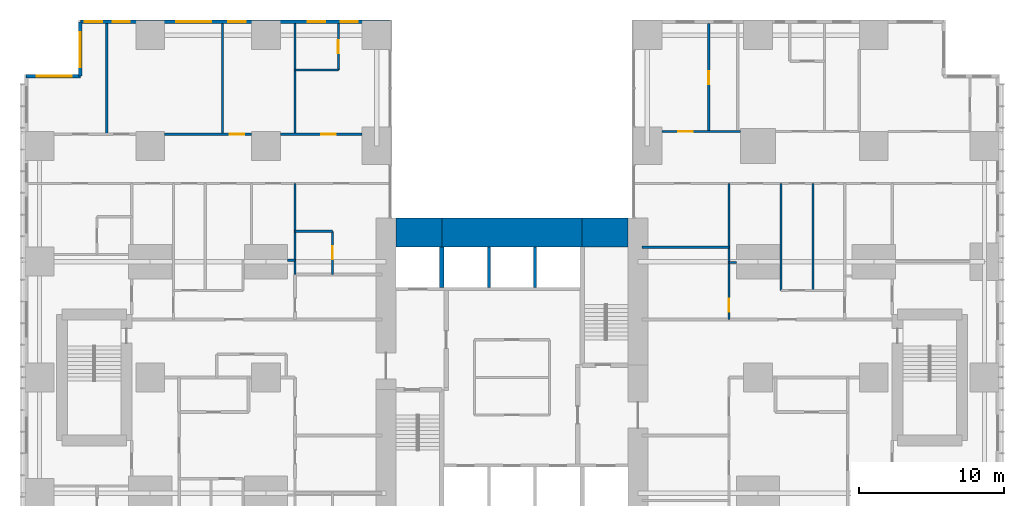
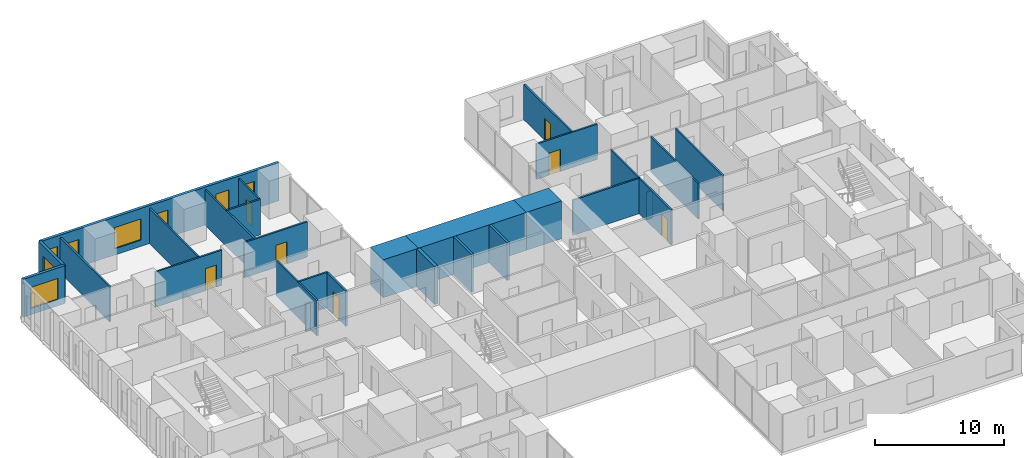
# One storey, part 17 of 20: 27 walls, 8 windows, 7 doors, 15 openings.
"""IFC4 building model written with IfcOpenShell, lengths in metres."""

from ifc_helpers import new_model, si_unit, direction, frame, frame_2d, origin, place, context, subcontext, project, spatial, rectangle, extrude, material, layer, layer_set, type_object, element, fill, save


model = new_model("IFC4")

# Units and contexts
model_context = context("Model", 3, precision=1e-05, world=origin(), true_north=direction((0.0, 1.0)))
body_context = subcontext(model_context, "Body", "Model", "MODEL_VIEW")
ifc_project = project(units=[si_unit("LENGTHUNIT", "METRE"), si_unit("AREAUNIT", "SQUARE_METRE"), si_unit("VOLUMEUNIT", "CUBIC_METRE"), si_unit("PLANEANGLEUNIT", "RADIAN"), si_unit("MASSUNIT", "GRAM", prefix="KILO")], contexts=[model_context])

# Site, building, storey
site_placement = place(None, origin())
site = spatial("IfcSite", under=ifc_project, at=site_placement, CompositionType="ELEMENT")
building_placement = place(site_placement, origin())
building = spatial("IfcBuilding", under=site, at=building_placement, Name="Cleftline Residences", CompositionType="ELEMENT")
storey_placement = place(building_placement, frame((0.0, 0.0, 40.39990234375)))
storey = spatial("IfcBuildingStorey", under=building, at=storey_placement, Name="L09", CompositionType="ELEMENT", Elevation=40.39990234375)

# Walls
ifc_material_1 = material(Name="Concrete B70", Category="concrete")
ifc_layer_1 = layer(ifc_material_1, 2.0)
ifc_layer_set_1 = layer_set([ifc_layer_1], Name="CORE WALL 2000")
wall_type_1 = type_object("IfcWallType", Name="CORE WALL 2000", PredefinedType="SHEAR", material=ifc_layer_set_1)
wall_1_placement = place(storey_placement, frame((25.0, 34.0, 0.0), z_axis=(0.0, 0.0, 1.0), x_axis=(1.0, 0.0, 0.0)))
element("IfcWall", 1, at=wall_1_placement, inside=storey, type_object=wall_type_1, Name="Core wall N1", PredefinedType="SHEAR", context=body_context, shape_type="SweptSolid", body=[
    extrude(rectangle(XDim=3.14990234375, YDim=2.0, at=frame_2d((1.574951171875, 0.0))), origin(), (0.0, 0.0, 1.0), 3.60009765625),
])
wall_2_placement = place(storey_placement, frame((28.14990234375, 34.0, 0.0), z_axis=(0.0, 0.0, 1.0), x_axis=(1.0, 0.0, 0.0)))
element("IfcWall", 2, at=wall_2_placement, inside=storey, type_object=wall_type_1, Name="Core wall N2", PredefinedType="SHEAR", context=body_context, shape_type="SweptSolid", body=[
    extrude(rectangle(XDim=9.7001953125, YDim=2.0, at=frame_2d((4.85009765625, 0.0))), origin(), (0.0, 0.0, 1.0), 3.60009765625),
])
wall_3_placement = place(storey_placement, frame((37.85009765625, 34.0, 0.0), z_axis=(0.0, 0.0, 1.0), x_axis=(1.0, 0.0, 0.0)))
element("IfcWall", 3, at=wall_3_placement, inside=storey, type_object=wall_type_1, Name="Core wall N3", PredefinedType="SHEAR", context=body_context, shape_type="SweptSolid", body=[
    extrude(rectangle(XDim=3.14990234375, YDim=2.0, at=frame_2d((1.574951171875, 0.0))), origin(), (0.0, 0.0, 1.0), 3.60009765625),
])
ifc_material_2 = material(Name="Concrete B70", Category="concrete")
ifc_layer_2 = layer(ifc_material_2, 0.300048828125)
ifc_layer_set_2 = layer_set([ifc_layer_2], Name="CORE WALL 300")
wall_type_2 = type_object("IfcWallType", Name="CORE WALL 300", PredefinedType="SHEAR", material=ifc_layer_set_2)
wall_4_placement = place(storey_placement, frame((28.14990234375, 30.199951171875, 0.0), z_axis=(0.0, 0.0, 1.0), x_axis=(0.0, 1.0, 0.0)))
element("IfcWall", 4, at=wall_4_placement, inside=storey, type_object=wall_type_2, Name="Lift shaft wall", PredefinedType="SHEAR", context=body_context, shape_type="SweptSolid", body=[
    extrude(rectangle(XDim=2.800048828125, YDim=0.300048828125, at=frame_2d((1.39990234375, 0.0))), origin(), (0.0, 0.0, 1.0), 3.60009765625),
])

# Wall, openings, windows
ifc_material_3 = material(Name="Rendered reinforced concrete blockwork", Category="masonry")
ifc_layer_3 = layer(ifc_material_3, 0.25)
ifc_layer_set_3 = layer_set([ifc_layer_3], Name="EXTERNAL WALL 250")
wall_type_3 = type_object("IfcWallType", Name="EXTERNAL WALL 250", PredefinedType="SOLIDWALL", material=ifc_layer_set_3)
wall_5_placement = place(storey_placement, frame((24.574951171875, 48.574951171875, 0.0), z_axis=(0.0, 0.0, 1.0), x_axis=(-1.0, 0.0, 0.0)))
wall_5 = element("IfcWall", 5, at=wall_5_placement, inside=storey, type_object=wall_type_3, Name="External wall", PredefinedType="SOLIDWALL", context=body_context, shape_type="SweptSolid", body=[
    extrude(rectangle(XDim=21.39990234375, YDim=0.25, at=frame_2d((10.699951171875, 0.0))), origin(), (0.0, 0.0, 1.0), 3.60009765625),
])
opening_1_placement = place(wall_5_placement, frame((2.22509765625, 0.0, 0.60009765625)))
opening_1 = element("IfcOpeningElement", 6, at=opening_1_placement, cuts=wall_5, Name="Opening W8", PredefinedType="OPENING", context=body_context, shape_type="SweptSolid", body=[
    extrude(rectangle(XDim=1.199951171875, YDim=2.0, at=frame_2d((0.60009765625, 1.0))), frame((0.0, 0.135009765625, 0.0), z_axis=(0.0, -1.0, 0.0), x_axis=(1.0, 0.0, 0.0)), (0.0, 0.0, 1.0), 0.27001953125),
])
opening_2_placement = place(wall_5_placement, frame((4.47509765625, 0.0, 0.60009765625)))
opening_2 = element("IfcOpeningElement", 7, at=opening_2_placement, cuts=wall_5, Name="Opening W8", PredefinedType="OPENING", context=body_context, shape_type="SweptSolid", body=[
    extrude(rectangle(XDim=1.199951171875, YDim=2.0, at=frame_2d((0.60009765625, 1.0))), frame((0.0, 0.135009765625, 0.0), z_axis=(0.0, -1.0, 0.0), x_axis=(1.0, 0.0, 0.0)), (0.0, 0.0, 1.0), 0.27001953125),
])
opening_3_placement = place(wall_5_placement, frame((9.97509765625, 0.0, 0.60009765625)))
opening_3 = element("IfcOpeningElement", 8, at=opening_3_placement, cuts=wall_5, Name="Opening W8", PredefinedType="OPENING", context=body_context, shape_type="SweptSolid", body=[
    extrude(rectangle(XDim=1.199951171875, YDim=2.0, at=frame_2d((0.60009765625, 1.0))), frame((0.0, 0.135009765625, 0.0), z_axis=(0.0, -1.0, 0.0), x_axis=(1.0, 0.0, 0.0)), (0.0, 0.0, 1.0), 0.27001953125),
])
opening_4_placement = place(wall_5_placement, frame((12.375, 0.0, 0.60009765625)))
opening_4 = element("IfcOpeningElement", 9, at=opening_4_placement, cuts=wall_5, Name="Opening W6", PredefinedType="OPENING", context=body_context, shape_type="SweptSolid", body=[
    extrude(rectangle(XDim=2.39990234375, YDim=2.0, at=frame_2d((1.199951171875, 1.0))), frame((0.0, 0.135009765625, 0.0), z_axis=(0.0, -1.0, 0.0), x_axis=(1.0, 0.0, 0.0)), (0.0, 0.0, 1.0), 0.27001953125),
])
opening_5_placement = place(wall_5_placement, frame((17.97509765625, 0.0, 0.60009765625)))
opening_5 = element("IfcOpeningElement", 10, at=opening_5_placement, cuts=wall_5, Name="Opening W8", PredefinedType="OPENING", context=body_context, shape_type="SweptSolid", body=[
    extrude(rectangle(XDim=1.199951171875, YDim=2.0, at=frame_2d((0.60009765625, 1.0))), frame((0.0, 0.135009765625, 0.0), z_axis=(0.0, -1.0, 0.0), x_axis=(1.0, 0.0, 0.0)), (0.0, 0.0, 1.0), 0.27001953125),
])
opening_6_placement = place(wall_5_placement, frame((19.89990234375, 0.0, 0.60009765625)))
opening_6 = element("IfcOpeningElement", 11, at=opening_6_placement, cuts=wall_5, Name="Opening W8", PredefinedType="OPENING", context=body_context, shape_type="SweptSolid", body=[
    extrude(rectangle(XDim=1.199951171875, YDim=2.0, at=frame_2d((0.60009765625, 1.0))), frame((0.0, 0.135009765625, 0.0), z_axis=(0.0, -1.0, 0.0), x_axis=(1.0, 0.0, 0.0)), (0.0, 0.0, 1.0), 0.27001953125),
])
ifc_material_4 = material(Name="Aluminium frame, clear double glazing", Category="aluminium")
window_type_1 = type_object("IfcWindowType", Name="WINDOW 1200X2000", PartitioningType="DOUBLE_PANEL_VERTICAL", PredefinedType="WINDOW", material=ifc_material_4)
window_1_placement = place(opening_1_placement, origin())
window_1 = element("IfcWindow", 12, at=window_1_placement, inside=storey, type_object=window_type_1, Name="Window", OverallHeight=2.0, OverallWidth=1.199951171875, PartitioningType="SINGLE_PANEL", PredefinedType="WINDOW", context=body_context, shape_type="SweptSolid", body=[
    extrude(rectangle(XDim=1.199951171875, YDim=2.0, at=frame_2d((0.60009765625, 1.0))), frame((0.0, 0.030029296875, 0.0), z_axis=(0.0, -1.0, 0.0), x_axis=(1.0, 0.0, 0.0)), (0.0, 0.0, 1.0), 0.06005859375),
])
fill(opening_1, window_1)
window_2_placement = place(opening_2_placement, origin())
window_2 = element("IfcWindow", 13, at=window_2_placement, inside=storey, type_object=window_type_1, Name="Window", OverallHeight=2.0, OverallWidth=1.199951171875, PartitioningType="SINGLE_PANEL", PredefinedType="WINDOW", context=body_context, shape_type="SweptSolid", body=[
    extrude(rectangle(XDim=1.199951171875, YDim=2.0, at=frame_2d((0.60009765625, 1.0))), frame((0.0, 0.030029296875, 0.0), z_axis=(0.0, -1.0, 0.0), x_axis=(1.0, 0.0, 0.0)), (0.0, 0.0, 1.0), 0.06005859375),
])
fill(opening_2, window_2)
window_3_placement = place(opening_3_placement, origin())
window_3 = element("IfcWindow", 14, at=window_3_placement, inside=storey, type_object=window_type_1, Name="Window", OverallHeight=2.0, OverallWidth=1.199951171875, PartitioningType="SINGLE_PANEL", PredefinedType="WINDOW", context=body_context, shape_type="SweptSolid", body=[
    extrude(rectangle(XDim=1.199951171875, YDim=2.0, at=frame_2d((0.60009765625, 1.0))), frame((0.0, 0.030029296875, 0.0), z_axis=(0.0, -1.0, 0.0), x_axis=(1.0, 0.0, 0.0)), (0.0, 0.0, 1.0), 0.06005859375),
])
fill(opening_3, window_3)
window_4_placement = place(opening_5_placement, origin())
window_4 = element("IfcWindow", 15, at=window_4_placement, inside=storey, type_object=window_type_1, Name="Window", OverallHeight=2.0, OverallWidth=1.199951171875, PartitioningType="SINGLE_PANEL", PredefinedType="WINDOW", context=body_context, shape_type="SweptSolid", body=[
    extrude(rectangle(XDim=1.199951171875, YDim=2.0, at=frame_2d((0.60009765625, 1.0))), frame((0.0, 0.030029296875, 0.0), z_axis=(0.0, -1.0, 0.0), x_axis=(1.0, 0.0, 0.0)), (0.0, 0.0, 1.0), 0.06005859375),
])
fill(opening_5, window_4)
window_5_placement = place(opening_6_placement, origin())
window_5 = element("IfcWindow", 16, at=window_5_placement, inside=storey, type_object=window_type_1, Name="Window", OverallHeight=2.0, OverallWidth=1.199951171875, PartitioningType="SINGLE_PANEL", PredefinedType="WINDOW", context=body_context, shape_type="SweptSolid", body=[
    extrude(rectangle(XDim=1.199951171875, YDim=2.0, at=frame_2d((0.60009765625, 1.0))), frame((0.0, 0.030029296875, 0.0), z_axis=(0.0, -1.0, 0.0), x_axis=(1.0, 0.0, 0.0)), (0.0, 0.0, 1.0), 0.06005859375),
])
fill(opening_6, window_5)
ifc_material_5 = material(Name="Aluminium frame, clear double glazing", Category="aluminium")
window_type_2 = type_object("IfcWindowType", Name="WINDOW 2400X2000", PartitioningType="DOUBLE_PANEL_VERTICAL", PredefinedType="WINDOW", material=ifc_material_5)
window_6_placement = place(opening_4_placement, origin())
window_6 = element("IfcWindow", 17, at=window_6_placement, inside=storey, type_object=window_type_2, Name="Window", OverallHeight=2.0, OverallWidth=2.39990234375, PartitioningType="SINGLE_PANEL", PredefinedType="WINDOW", context=body_context, shape_type="SweptSolid", body=[
    extrude(rectangle(XDim=2.39990234375, YDim=2.0, at=frame_2d((1.199951171875, 1.0))), frame((0.0, 0.030029296875, 0.0), z_axis=(0.0, -1.0, 0.0), x_axis=(1.0, 0.0, 0.0)), (0.0, 0.0, 1.0), 0.06005859375),
])
fill(opening_4, window_6)

# Wall, opening, window
wall_6_placement = place(storey_placement, frame((3.175048828125, 48.574951171875, 0.0), z_axis=(0.0, 0.0, 1.0), x_axis=(0.0, -1.0, 0.0)))
wall_6 = element("IfcWall", 18, at=wall_6_placement, inside=storey, type_object=wall_type_3, Name="External wall", PredefinedType="SOLIDWALL", context=body_context, shape_type="SweptSolid", body=[
    extrude(rectangle(XDim=3.75, YDim=0.25, at=frame_2d((1.875, 0.0))), origin(), (0.0, 0.0, 1.0), 3.60009765625),
])
opening_7_placement = place(wall_6_placement, frame((0.737548828125, 0.0, 0.60009765625)))
opening_7 = element("IfcOpeningElement", 19, at=opening_7_placement, cuts=wall_6, Name="Opening W6", PredefinedType="OPENING", context=body_context, shape_type="SweptSolid", body=[
    extrude(rectangle(XDim=2.39990234375, YDim=2.0, at=frame_2d((1.199951171875, 1.0))), frame((0.0, 0.135009765625, 0.0), z_axis=(0.0, -1.0, 0.0), x_axis=(1.0, 0.0, 0.0)), (0.0, 0.0, 1.0), 0.27001953125),
])
window_7_placement = place(opening_7_placement, origin())
window_7 = element("IfcWindow", 20, at=window_7_placement, inside=storey, type_object=window_type_2, Name="Window", OverallHeight=2.0, OverallWidth=2.39990234375, PartitioningType="SINGLE_PANEL", PredefinedType="WINDOW", context=body_context, shape_type="SweptSolid", body=[
    extrude(rectangle(XDim=2.39990234375, YDim=2.0, at=frame_2d((1.199951171875, 1.0))), frame((0.0, 0.030029296875, 0.0), z_axis=(0.0, -1.0, 0.0), x_axis=(1.0, 0.0, 0.0)), (0.0, 0.0, 1.0), 0.06005859375),
])
fill(opening_7, window_7)

wall_7_placement = place(storey_placement, frame((3.175048828125, 44.824951171875, 0.0), z_axis=(0.0, 0.0, 1.0), x_axis=(-1.0, 0.0, 0.0)))
wall_7 = element("IfcWall", 21, at=wall_7_placement, inside=storey, type_object=wall_type_3, Name="External wall", PredefinedType="SOLIDWALL", context=body_context, shape_type="SweptSolid", body=[
    extrude(rectangle(XDim=3.75, YDim=0.25, at=frame_2d((1.875, 0.0))), origin(), (0.0, 0.0, 1.0), 3.60009765625),
])
opening_8_placement = place(wall_7_placement, frame((0.612548828125, 0.0, 0.60009765625)))
opening_8 = element("IfcOpeningElement", 22, at=opening_8_placement, cuts=wall_7, Name="Opening W6", PredefinedType="OPENING", context=body_context, shape_type="SweptSolid", body=[
    extrude(rectangle(XDim=2.39990234375, YDim=2.0, at=frame_2d((1.199951171875, 1.0))), frame((0.0, 0.135009765625, 0.0), z_axis=(0.0, -1.0, 0.0), x_axis=(1.0, 0.0, 0.0)), (0.0, 0.0, 1.0), 0.27001953125),
])
window_8_placement = place(opening_8_placement, origin())
window_8 = element("IfcWindow", 23, at=window_8_placement, inside=storey, type_object=window_type_2, Name="Window", OverallHeight=2.0, OverallWidth=2.39990234375, PartitioningType="SINGLE_PANEL", PredefinedType="WINDOW", context=body_context, shape_type="SweptSolid", body=[
    extrude(rectangle(XDim=2.39990234375, YDim=2.0, at=frame_2d((1.199951171875, 1.0))), frame((0.0, 0.030029296875, 0.0), z_axis=(0.0, -1.0, 0.0), x_axis=(1.0, 0.0, 0.0)), (0.0, 0.0, 1.0), 0.06005859375),
])
fill(opening_8, window_8)

# Walls
ifc_material_6 = material(Name="Gypsum board on steel studs", Category="steel")
ifc_layer_4 = layer(ifc_material_6, 0.14990234375)
ifc_layer_set_4 = layer_set([ifc_layer_4], Name="PARTITION 150")
wall_type_4 = type_object("IfcWallType", Name="PARTITION 150", PredefinedType="PARTITIONING", material=ifc_layer_set_4)
for number, where, z_axis, x_axis, name in (
    (24, (48.0, 31.949951171875, 0.0), (0.0, 0.0, 1.0), (1.0, 0.0, 0.0), "Partition"),
    (25, (17.5, 32.10009765625, 0.0), (0.0, 0.0, 1.0), (1.0, 0.0, 0.0), "Partition"),
):
    element("IfcWall", number, at=place(storey_placement, frame(where, z_axis=z_axis, x_axis=x_axis)), inside=storey, type_object=wall_type_4, Name=name, PredefinedType="PARTITIONING", context=body_context, shape_type="SweptSolid", body=[
        extrude(rectangle(XDim=0.5, YDim=0.14990234375, at=frame_2d((0.25, 0.0))), origin(), (0.0, 0.0, 1.0), 2.634033203125),
    ])
wall_8_placement = place(storey_placement, frame((42.0, 33.0, 0.0), z_axis=(0.0, 0.0, 1.0), x_axis=(1.0, 0.0, 0.0)))
element("IfcWall", 26, at=wall_8_placement, inside=storey, type_object=wall_type_4, Name="Partition", PredefinedType="PARTITIONING", context=body_context, shape_type="SweptSolid", body=[
    extrude(rectangle(XDim=6.0, YDim=0.14990234375, at=frame_2d((3.0, 0.0))), origin(), (0.0, 0.0, 1.0), 3.35009765625),
])
wall_9_placement = place(storey_placement, frame((18.0, 34.10009765625, 0.0), z_axis=(0.0, 0.0, 1.0), x_axis=(1.0, 0.0, 0.0)))
element("IfcWall", 27, at=wall_9_placement, inside=storey, type_object=wall_type_4, Name="Partition", PredefinedType="PARTITIONING", context=body_context, shape_type="SweptSolid", body=[
    extrude(rectangle(XDim=2.60009765625, YDim=0.14990234375, at=frame_2d((1.300048828125, 0.0))), origin(), (0.0, 0.0, 1.0), 3.35009765625),
])

# Wall, opening, door
wall_10_placement = place(storey_placement, frame((9.0, 40.800048828125, 0.0), z_axis=(0.0, 0.0, 1.0), x_axis=(1.0, 0.0, 0.0)))
wall_10 = element("IfcWall", 28, at=wall_10_placement, inside=storey, type_object=wall_type_4, Name="Partition", PredefinedType="PARTITIONING", context=body_context, shape_type="SweptSolid", body=[
    extrude(rectangle(XDim=6.0, YDim=0.14990234375, at=frame_2d((3.0, 0.0))), origin(), (0.0, 0.0, 1.0), 3.35009765625),
])
opening_9_placement = place(wall_10_placement, frame((4.5, 0.0, 0.0)))
opening_9 = element("IfcOpeningElement", 29, at=opening_9_placement, cuts=wall_10, Name="Opening D2", PredefinedType="OPENING", context=body_context, shape_type="SweptSolid", body=[
    extrude(rectangle(XDim=1.0, YDim=2.10009765625, at=frame_2d((0.5, 1.050048828125))), frame((0.0, 0.0849609375, 0.0), z_axis=(0.0, -1.0, 0.0), x_axis=(1.0, 0.0, 0.0)), (0.0, 0.0, 1.0), 0.169921875),
])
ifc_material_7 = material(Name="Timber veneer on solid core", Category="wood")
door_type_1 = type_object("IfcDoorType", Name="DOOR 1000X2100", OperationType="SINGLE_SWING_LEFT", PredefinedType="DOOR", material=ifc_material_7)
door_1_placement = place(opening_9_placement, origin())
door_1 = element("IfcDoor", 30, at=door_1_placement, inside=storey, type_object=door_type_1, Name="Door to show kitchen", OperationType="SINGLE_SWING_LEFT", OverallHeight=2.10009765625, OverallWidth=1.0, PredefinedType="DOOR", context=body_context, shape_type="SweptSolid", body=[
    extrude(rectangle(XDim=1.0, YDim=2.10009765625, at=frame_2d((0.5, 1.050048828125))), frame((0.0, 0.02490234375, 0.0), z_axis=(0.0, -1.0, 0.0), x_axis=(1.0, 0.0, 0.0)), (0.0, 0.0, 1.0), 0.050048828125),
])
fill(opening_9, door_1)

wall_11_placement = place(storey_placement, frame((17.0, 40.800048828125, 0.0), z_axis=(0.0, 0.0, 1.0), x_axis=(1.0, 0.0, 0.0)))
wall_11 = element("IfcWall", 31, at=wall_11_placement, inside=storey, type_object=wall_type_4, Name="Partition", PredefinedType="PARTITIONING", context=body_context, shape_type="SweptSolid", body=[
    extrude(rectangle(XDim=5.64990234375, YDim=0.14990234375, at=frame_2d((2.824951171875, 0.0))), origin(), (0.0, 0.0, 1.0), 3.35009765625),
])
opening_10_placement = place(wall_11_placement, frame((2.824951171875, 0.0, 0.0)))
opening_10 = element("IfcOpeningElement", 32, at=opening_10_placement, cuts=wall_11, Name="Opening D2", PredefinedType="OPENING", context=body_context, shape_type="SweptSolid", body=[
    extrude(rectangle(XDim=1.0, YDim=2.10009765625, at=frame_2d((0.5, 1.050048828125))), frame((0.0, 0.0849609375, 0.0), z_axis=(0.0, -1.0, 0.0), x_axis=(1.0, 0.0, 0.0)), (0.0, 0.0, 1.0), 0.169921875),
])
door_2_placement = place(opening_10_placement, origin())
door_2 = element("IfcDoor", 33, at=door_2_placement, inside=storey, type_object=door_type_1, Name="Door to master bedroom", OperationType="SINGLE_SWING_LEFT", OverallHeight=2.10009765625, OverallWidth=1.0, PredefinedType="DOOR", context=body_context, shape_type="SweptSolid", body=[
    extrude(rectangle(XDim=1.0, YDim=2.10009765625, at=frame_2d((0.5, 1.050048828125))), frame((0.0, 0.02490234375, 0.0), z_axis=(0.0, -1.0, 0.0), x_axis=(1.0, 0.0, 0.0)), (0.0, 0.0, 1.0), 0.050048828125),
])
fill(opening_10, door_2)

wall_12_placement = place(storey_placement, frame((43.35009765625, 41.0, 0.0), z_axis=(0.0, 0.0, 1.0), x_axis=(1.0, 0.0, 0.0)))
wall_12 = element("IfcWall", 34, at=wall_12_placement, inside=storey, type_object=wall_type_4, Name="Partition", PredefinedType="PARTITIONING", context=body_context, shape_type="SweptSolid", body=[
    extrude(rectangle(XDim=5.449951171875, YDim=0.14990234375, at=frame_2d((2.72509765625, 0.0))), origin(), (0.0, 0.0, 1.0), 3.35009765625),
])
opening_11_placement = place(wall_12_placement, frame((1.125, 0.0, 0.0)))
opening_11 = element("IfcOpeningElement", 35, at=opening_11_placement, cuts=wall_12, Name="Opening D2", PredefinedType="OPENING", context=body_context, shape_type="SweptSolid", body=[
    extrude(rectangle(XDim=1.0, YDim=2.10009765625, at=frame_2d((0.5, 1.050048828125))), frame((0.0, 0.0849609375, 0.0), z_axis=(0.0, -1.0, 0.0), x_axis=(1.0, 0.0, 0.0)), (0.0, 0.0, 1.0), 0.169921875),
])
door_3_placement = place(opening_11_placement, origin())
door_3 = element("IfcDoor", 36, at=door_3_placement, inside=storey, type_object=door_type_1, Name="Door to bedroom 3", OperationType="SINGLE_SWING_RIGHT", OverallHeight=2.10009765625, OverallWidth=1.0, PredefinedType="DOOR", context=body_context, shape_type="SweptSolid", body=[
    extrude(rectangle(XDim=1.0, YDim=2.10009765625, at=frame_2d((0.5, 1.050048828125))), frame((0.0, 0.02490234375, 0.0), z_axis=(0.0, -1.0, 0.0), x_axis=(1.0, 0.0, 0.0)), (0.0, 0.0, 1.0), 0.050048828125),
])
fill(opening_11, door_3)

# Walls
wall_13_placement = place(storey_placement, frame((18.0, 45.25, 0.0), z_axis=(0.0, 0.0, 1.0), x_axis=(1.0, 0.0, 0.0)))
element("IfcWall", 37, at=wall_13_placement, inside=storey, type_object=wall_type_4, Name="Partition", PredefinedType="PARTITIONING", context=body_context, shape_type="SweptSolid", body=[
    extrude(rectangle(XDim=3.0, YDim=0.14990234375, at=frame_2d((1.5, 0.0))), origin(), (0.0, 0.0, 1.0), 3.35009765625),
])
for number, where, z_axis, x_axis, name in (
    (38, (5.0, 40.800048828125, 0.0), (0.0, 0.0, 1.0), (0.0, 1.0, 0.0), "Partition"),
    (39, (13.0, 40.800048828125, 0.0), (0.0, 0.0, 1.0), (0.0, 1.0, 0.0), "Partition"),
):
    element("IfcWall", number, at=place(storey_placement, frame(where, z_axis=z_axis, x_axis=x_axis)), inside=storey, type_object=wall_type_4, Name=name, PredefinedType="PARTITIONING", context=body_context, shape_type="SweptSolid", body=[
        extrude(rectangle(XDim=7.64990234375, YDim=0.14990234375, at=frame_2d((3.824951171875, 0.0))), origin(), (0.0, 0.0, 1.0), 3.35009765625),
    ])
wall_14_placement = place(storey_placement, frame((18.0, 31.10009765625, 0.0), z_axis=(0.0, 0.0, 1.0), x_axis=(0.0, 1.0, 0.0)))
element("IfcWall", 40, at=wall_14_placement, inside=storey, type_object=wall_type_4, Name="Partition", PredefinedType="PARTITIONING", context=body_context, shape_type="SweptSolid", body=[
    extrude(rectangle(XDim=6.2998046875, YDim=0.14990234375, at=frame_2d((3.14990234375, 0.0))), origin(), (0.0, 0.0, 1.0), 3.35009765625),
])
wall_15_placement = place(storey_placement, frame((18.0, 40.800048828125, 0.0), z_axis=(0.0, 0.0, 1.0), x_axis=(0.0, 1.0, 0.0)))
element("IfcWall", 41, at=wall_15_placement, inside=storey, type_object=wall_type_4, Name="Partition", PredefinedType="PARTITIONING", context=body_context, shape_type="SweptSolid", body=[
    extrude(rectangle(XDim=7.64990234375, YDim=0.14990234375, at=frame_2d((3.824951171875, 0.0))), origin(), (0.0, 0.0, 1.0), 3.35009765625),
])

# Wall, opening, door
wall_16_placement = place(storey_placement, frame((20.60009765625, 31.10009765625, 0.0), z_axis=(0.0, 0.0, 1.0), x_axis=(0.0, 1.0, 0.0)))
wall_16 = element("IfcWall", 42, at=wall_16_placement, inside=storey, type_object=wall_type_4, Name="Partition", PredefinedType="PARTITIONING", context=body_context, shape_type="SweptSolid", body=[
    extrude(rectangle(XDim=3.0, YDim=0.14990234375, at=frame_2d((1.5, 0.0))), origin(), (0.0, 0.0, 1.0), 3.35009765625),
])
opening_12_placement = place(wall_16_placement, frame((1.050048828125, 0.0, 0.0)))
opening_12 = element("IfcOpeningElement", 43, at=opening_12_placement, cuts=wall_16, Name="Opening D1", PredefinedType="OPENING", context=body_context, shape_type="SweptSolid", body=[
    extrude(rectangle(XDim=0.89990234375, YDim=2.10009765625, at=frame_2d((0.449951171875, 1.050048828125))), frame((0.0, 0.0849609375, 0.0), z_axis=(0.0, -1.0, 0.0), x_axis=(1.0, 0.0, 0.0)), (0.0, 0.0, 1.0), 0.169921875),
])
ifc_material_8 = material(Name="Timber veneer on solid core", Category="wood")
door_type_2 = type_object("IfcDoorType", Name="DOOR 900X2100", OperationType="SINGLE_SWING_LEFT", PredefinedType="DOOR", material=ifc_material_8)
door_4_placement = place(opening_12_placement, origin())
door_4 = element("IfcDoor", 44, at=door_4_placement, inside=storey, type_object=door_type_2, Name="Door to en-suite bathroom 3", OperationType="SINGLE_SWING_LEFT", OverallHeight=2.10009765625, OverallWidth=0.89990234375, PredefinedType="DOOR", context=body_context, shape_type="SweptSolid", body=[
    extrude(rectangle(XDim=0.89990234375, YDim=2.10009765625, at=frame_2d((0.449951171875, 1.050048828125))), frame((0.0, 0.02490234375, 0.0), z_axis=(0.0, -1.0, 0.0), x_axis=(1.0, 0.0, 0.0)), (0.0, 0.0, 1.0), 0.050048828125),
])
fill(opening_12, door_4)

wall_17_placement = place(storey_placement, frame((21.0, 45.25, 0.0), z_axis=(0.0, 0.0, 1.0), x_axis=(0.0, 1.0, 0.0)))
wall_17 = element("IfcWall", 45, at=wall_17_placement, inside=storey, type_object=wall_type_4, Name="Partition", PredefinedType="PARTITIONING", context=body_context, shape_type="SweptSolid", body=[
    extrude(rectangle(XDim=3.199951171875, YDim=0.14990234375, at=frame_2d((1.60009765625, 0.0))), origin(), (0.0, 0.0, 1.0), 3.35009765625),
])
opening_13_placement = place(wall_17_placement, frame((1.14990234375, 0.0, 0.0)))
opening_13 = element("IfcOpeningElement", 46, at=opening_13_placement, cuts=wall_17, Name="Opening D1", PredefinedType="OPENING", context=body_context, shape_type="SweptSolid", body=[
    extrude(rectangle(XDim=0.89990234375, YDim=2.10009765625, at=frame_2d((0.449951171875, 1.050048828125))), frame((0.0, 0.0849609375, 0.0), z_axis=(0.0, -1.0, 0.0), x_axis=(1.0, 0.0, 0.0)), (0.0, 0.0, 1.0), 0.169921875),
])
door_5_placement = place(opening_13_placement, origin())
door_5 = element("IfcDoor", 47, at=door_5_placement, inside=storey, type_object=door_type_2, Name="Door to master bathroom", OperationType="SINGLE_SWING_LEFT", OverallHeight=2.10009765625, OverallWidth=0.89990234375, PredefinedType="DOOR", context=body_context, shape_type="SweptSolid", body=[
    extrude(rectangle(XDim=0.89990234375, YDim=2.10009765625, at=frame_2d((0.449951171875, 1.050048828125))), frame((0.0, 0.02490234375, 0.0), z_axis=(0.0, -1.0, 0.0), x_axis=(1.0, 0.0, 0.0)), (0.0, 0.0, 1.0), 0.050048828125),
])
fill(opening_13, door_5)

wall_18_placement = place(storey_placement, frame((46.60009765625, 41.0, 0.0), z_axis=(0.0, 0.0, 1.0), x_axis=(0.0, 1.0, 0.0)))
wall_18 = element("IfcWall", 48, at=wall_18_placement, inside=storey, type_object=wall_type_4, Name="Partition", PredefinedType="PARTITIONING", context=body_context, shape_type="SweptSolid", body=[
    extrude(rectangle(XDim=7.449951171875, YDim=0.14990234375, at=frame_2d((3.72509765625, 0.0))), origin(), (0.0, 0.0, 1.0), 3.35009765625),
])
opening_14_placement = place(wall_18_placement, frame((3.27490234375, 0.0, 0.0)))
opening_14 = element("IfcOpeningElement", 49, at=opening_14_placement, cuts=wall_18, Name="Opening D1", PredefinedType="OPENING", context=body_context, shape_type="SweptSolid", body=[
    extrude(rectangle(XDim=0.89990234375, YDim=2.10009765625, at=frame_2d((0.449951171875, 1.050048828125))), frame((0.0, 0.0849609375, 0.0), z_axis=(0.0, -1.0, 0.0), x_axis=(1.0, 0.0, 0.0)), (0.0, 0.0, 1.0), 0.169921875),
])
door_6_placement = place(opening_14_placement, origin())
door_6 = element("IfcDoor", 50, at=door_6_placement, inside=storey, type_object=door_type_2, Name="Door to en-suite bathroom 3", OperationType="SINGLE_SWING_LEFT", OverallHeight=2.10009765625, OverallWidth=0.89990234375, PredefinedType="DOOR", context=body_context, shape_type="SweptSolid", body=[
    extrude(rectangle(XDim=0.89990234375, YDim=2.10009765625, at=frame_2d((0.449951171875, 1.050048828125))), frame((0.0, 0.02490234375, 0.0), z_axis=(0.0, -1.0, 0.0), x_axis=(1.0, 0.0, 0.0)), (0.0, 0.0, 1.0), 0.050048828125),
])
fill(opening_14, door_6)

wall_19_placement = place(storey_placement, frame((48.0, 28.0, 0.0), z_axis=(0.0, 0.0, 1.0), x_axis=(0.0, 1.0, 0.0)))
wall_19 = element("IfcWall", 51, at=wall_19_placement, inside=storey, type_object=wall_type_4, Name="Partition", PredefinedType="PARTITIONING", context=body_context, shape_type="SweptSolid", body=[
    extrude(rectangle(XDim=9.39990234375, YDim=0.14990234375, at=frame_2d((4.699951171875, 0.0))), origin(), (0.0, 0.0, 1.0), 3.35009765625),
])
opening_15_placement = place(wall_19_placement, frame((0.550048828125, 0.0, 0.0)))
opening_15 = element("IfcOpeningElement", 52, at=opening_15_placement, cuts=wall_19, Name="Opening D1", PredefinedType="OPENING", context=body_context, shape_type="SweptSolid", body=[
    extrude(rectangle(XDim=0.89990234375, YDim=2.10009765625, at=frame_2d((0.449951171875, 1.050048828125))), frame((0.0, 0.0849609375, 0.0), z_axis=(0.0, -1.0, 0.0), x_axis=(1.0, 0.0, 0.0)), (0.0, 0.0, 1.0), 0.169921875),
])
door_7_placement = place(opening_15_placement, origin())
door_7 = element("IfcDoor", 53, at=door_7_placement, inside=storey, type_object=door_type_2, Name="Door to laundry", OperationType="SINGLE_SWING_RIGHT", OverallHeight=2.10009765625, OverallWidth=0.89990234375, PredefinedType="DOOR", context=body_context, shape_type="SweptSolid", body=[
    extrude(rectangle(XDim=0.89990234375, YDim=2.10009765625, at=frame_2d((0.449951171875, 1.050048828125))), frame((0.0, 0.02490234375, 0.0), z_axis=(0.0, -1.0, 0.0), x_axis=(1.0, 0.0, 0.0)), (0.0, 0.0, 1.0), 0.050048828125),
])
fill(opening_15, door_7)

# Walls
for number, where, z_axis, x_axis, name in (
    (54, (51.60009765625, 30.0, 0.0), (0.0, 0.0, 1.0), (0.0, 1.0, 0.0), "Partition"),
    (55, (53.800048828125, 30.0, 0.0), (0.0, 0.0, 1.0), (0.0, 1.0, 0.0), "Partition"),
):
    element("IfcWall", number, at=place(storey_placement, frame(where, z_axis=z_axis, x_axis=x_axis)), inside=storey, type_object=wall_type_4, Name=name, PredefinedType="PARTITIONING", context=body_context, shape_type="SweptSolid", body=[
        extrude(rectangle(XDim=7.39990234375, YDim=0.14990234375, at=frame_2d((3.699951171875, 0.0))), origin(), (0.0, 0.0, 1.0), 3.35009765625),
    ])
ifc_material_9 = material(Name="Concrete blockwork, fire rated", Category="masonry")
ifc_layer_5 = layer(ifc_material_9, 0.199951171875)
ifc_layer_set_5 = layer_set([ifc_layer_5], Name="SHAFT WALL 200")
wall_type_5 = type_object("IfcWallType", Name="SHAFT WALL 200", PredefinedType="PARTITIONING", material=ifc_layer_set_5)
for number, where, z_axis, x_axis, name in (
    (56, (31.39990234375, 30.199951171875, 0.0), (0.0, 0.0, 1.0), (0.0, 1.0, 0.0), "Lift shaft wall"),
    (57, (34.60009765625, 30.199951171875, 0.0), (0.0, 0.0, 1.0), (0.0, 1.0, 0.0), "Lift shaft wall"),
):
    element("IfcWall", number, at=place(storey_placement, frame(where, z_axis=z_axis, x_axis=x_axis)), inside=storey, type_object=wall_type_5, Name=name, PredefinedType="PARTITIONING", context=body_context, shape_type="SweptSolid", body=[
        extrude(rectangle(XDim=2.800048828125, YDim=0.199951171875, at=frame_2d((1.39990234375, 0.0))), origin(), (0.0, 0.0, 1.0), 3.60009765625),
    ])

save(model, "model.ifc")
